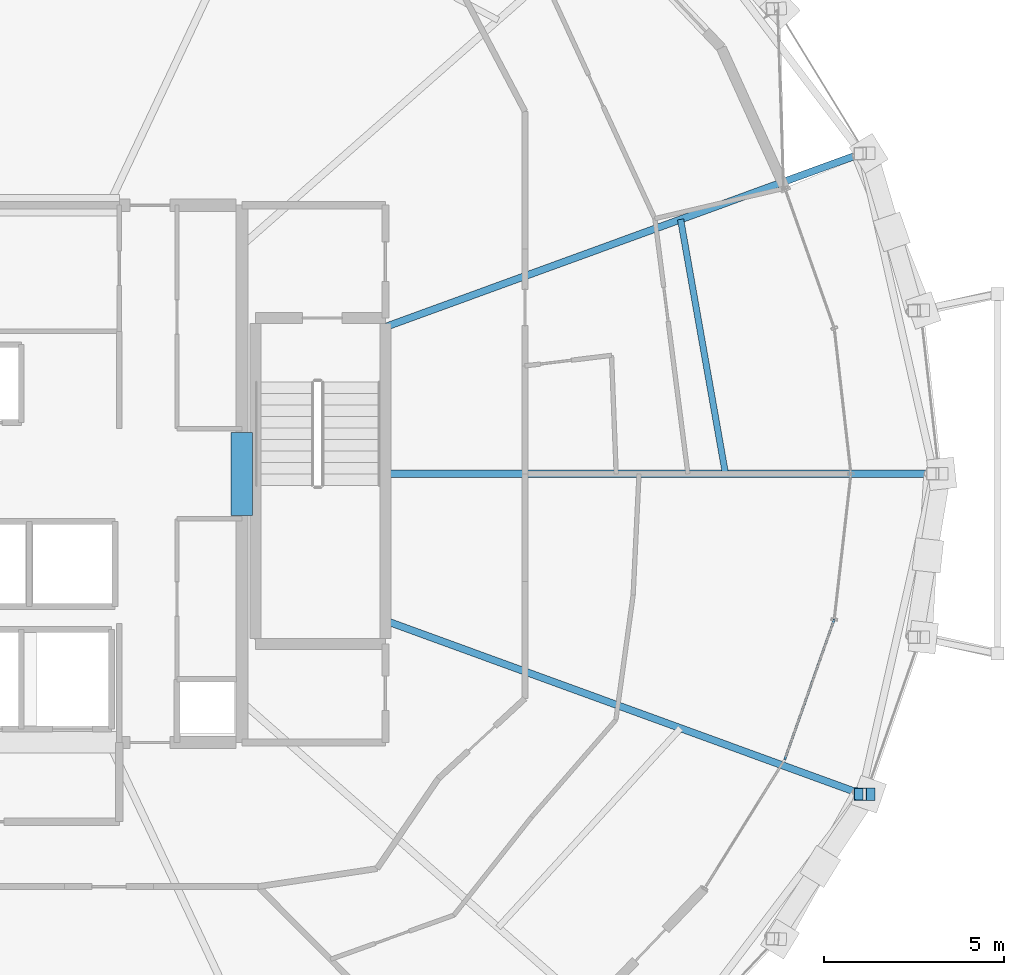
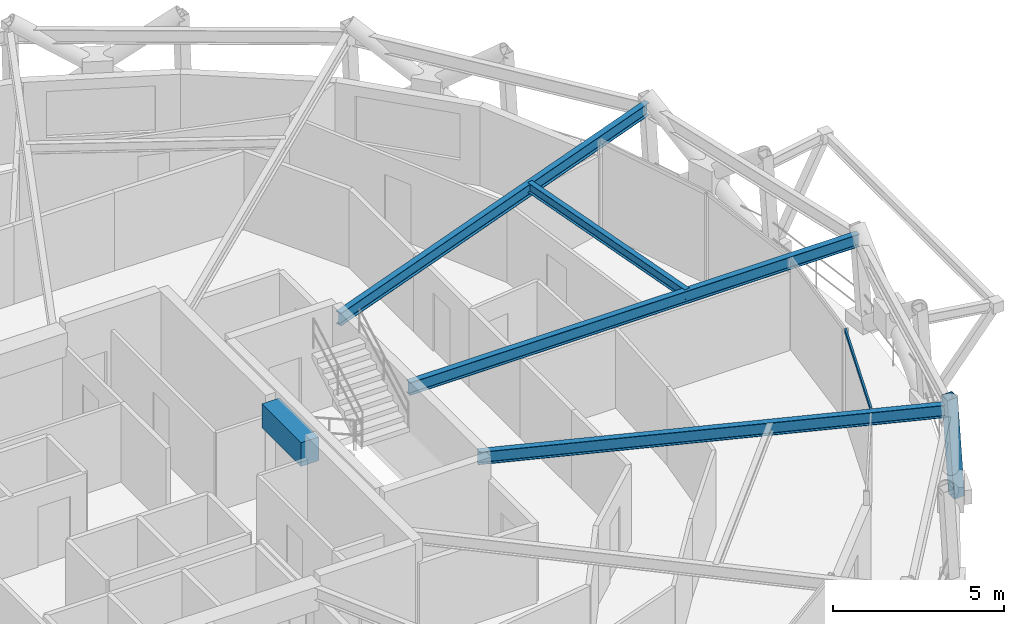
# One storey, part 7 of 17: 5 beams, 2 members, 1 element without a shape of its own.
"""IFC4 building model written with IfcOpenShell, lengths in metres."""

import ifcopenshell
import ifcopenshell.guid

model = None  # the IFC model being written
_history = None  # IfcOwnerHistory: only IFC2X3 demands one
_inside = {}  # id of a spatial element -> (the spatial element, [elements in it])
_under = {}  # id of a project, library or spatial element -> (it, [spatial elements below it])
_declared = {}  # id of a project -> (the project, [libraries it declares])
_typed = {}  # id of a type object -> (the type object, [elements of that type])
_made_of = {}  # id of a material, layer set ... -> (it, [elements and type objects made of it])


def new_model(schema):
    """Start an empty IFC model of exactly this schema.

    Asked for "IFC4X3", IfcOpenShell would pick the latest addendum, in which some entities
    have other attributes; the version numbers below select the first issue.
    IFC2X3 requires an IfcOwnerHistory on every rooted entity: one is made here for all.
    """
    global model, _history
    if schema == "IFC4X3":
        model = ifcopenshell.file(schema_version=(4, 3, 0, 0))
    else:
        model = ifcopenshell.file(schema=schema)
    _inside.clear()
    _under.clear()
    _declared.clear()
    _typed.clear()
    _made_of.clear()
    _history = None
    if model.schema == "IFC2X3":
        org = make("IfcOrganization", Name="unknown")
        user = make(
            "IfcPersonAndOrganization",
            ThePerson=make("IfcPerson", FamilyName="unknown"),
            TheOrganization=org,
        )
        app = make(
            "IfcApplication",
            ApplicationDeveloper=org,
            Version="unknown",
            ApplicationFullName="unknown",
            ApplicationIdentifier="unknown",
        )
        _history = make(
            "IfcOwnerHistory",
            OwningUser=user,
            OwningApplication=app,
            ChangeAction="ADDED",
            CreationDate=0,
        )
    return model


def make(cls, **values):
    """One entity of the class cls with the attributes given. An attribute that is None is left unset."""
    return model.create_entity(
        cls, **{name: value for name, value in values.items() if value is not None}
    )


def rooted(cls, **values):
    """An entity with a GlobalId (a new one), such as an element, a storey or a relation."""
    return make(cls, GlobalId=ifcopenshell.guid.new(), OwnerHistory=_history, **values)


def si_unit(unit_type, name, prefix=None):
    """IfcSIUnit, for example si_unit("LENGTHUNIT", "METRE", prefix="MILLI")."""
    return make("IfcSIUnit", UnitType=unit_type, Prefix=prefix, Name=name)


def assignment(units):
    """IfcUnitAssignment: the units of a project."""
    return None if units is None else make("IfcUnitAssignment", Units=units)


def point(xyz):
    """IfcCartesianPoint."""
    return None if xyz is None else make("IfcCartesianPoint", Coordinates=xyz)


def direction(xyz):
    """IfcDirection."""
    return None if xyz is None else make("IfcDirection", DirectionRatios=xyz)


def frame(location, z_axis=None, x_axis=None):
    """IfcAxis2Placement3D, a coordinate frame: its origin and axes. An axis left out is left unset."""
    return make(
        "IfcAxis2Placement3D",
        Location=point(location),
        Axis=direction(z_axis),
        RefDirection=direction(x_axis),
    )


def frame_2d(location, x_axis=None):
    """IfcAxis2Placement2D, a coordinate frame in the plane: its origin and x axis."""
    return make(
        "IfcAxis2Placement2D", Location=point(location), RefDirection=direction(x_axis)
    )


def origin():
    """The frame at (0, 0, 0) with its axes left unset."""
    return frame((0.0, 0.0, 0.0))


def origin_2d():
    """The frame at (0, 0) in the plane with its x axis left unset."""
    return frame_2d((0.0, 0.0))


def place(relative_to, where):
    """IfcLocalPlacement: puts the frame where relative to a parent placement (None: the world)."""
    return make(
        "IfcLocalPlacement", PlacementRelTo=relative_to, RelativePlacement=where
    )


def context(
    kind, dimensions, precision=None, world=None, true_north=None, identifier=None
):
    """IfcGeometricRepresentationContext, for example the 3D "Model" context."""
    return make(
        "IfcGeometricRepresentationContext",
        ContextIdentifier=identifier,
        ContextType=kind,
        CoordinateSpaceDimension=dimensions,
        Precision=precision,
        WorldCoordinateSystem=world,
        TrueNorth=true_north,
    )


def subcontext(parent, identifier, kind, view, scale=None):
    """IfcGeometricRepresentationSubContext, for example "Body" below "Model"."""
    return make(
        "IfcGeometricRepresentationSubContext",
        ContextIdentifier=identifier,
        ContextType=kind,
        ParentContext=parent,
        TargetScale=scale,
        TargetView=view,
    )


def project(units=None, contexts=None):
    """IfcProject with its units and contexts."""
    return rooted(
        "IfcProject",
        Name="project",
        RepresentationContexts=contexts,
        UnitsInContext=assignment(units),
    )


def spatial(cls, under=None, at=None, **own):
    """A site, building, storey or space (cls), placed at a placement, below another one or the project."""
    s = rooted(cls, ObjectPlacement=at, **own)
    if under is not None:
        _under.setdefault(under.id(), (under, []))[1].append(s)
    return s


def profile(cls, at=None, kind="AREA", **sizes):
    """A parametric profile (cls). Its sizes go by their IFC names, for example OverallWidth=200.0."""
    return make(cls, ProfileType=kind, Position=at, **sizes)


def rectangle(**sizes):
    """IfcRectangleProfileDef."""
    return profile("IfcRectangleProfileDef", **sizes)


def hollow_rectangle(**sizes):
    """IfcRectangleHollowProfileDef."""
    return profile("IfcRectangleHollowProfileDef", **sizes)


def i_section(**sizes):
    """IfcIShapeProfileDef."""
    return profile("IfcIShapeProfileDef", **sizes)


def extrude(swept, where, along, depth):
    """IfcExtrudedAreaSolid: the profile swept, set in the frame where, extruded along a direction by depth."""
    return make(
        "IfcExtrudedAreaSolid",
        SweptArea=swept,
        Position=where,
        ExtrudedDirection=direction(along),
        Depth=depth,
    )


def shape(context_of_items, identifier, shape_type, items):
    """IfcShapeRepresentation: the items that make up one representation, for example the "Body"."""
    return make(
        "IfcShapeRepresentation",
        ContextOfItems=context_of_items,
        RepresentationIdentifier=identifier,
        RepresentationType=shape_type,
        Items=items,
    )


def material(Name=None, Category=None):
    """IfcMaterial."""
    return make("IfcMaterial", Name=Name, Category=Category)


def layer(
    of_material, thickness, ventilated=None, Name=None, Category=None, Priority=None
):
    """IfcMaterialLayer: one layer of a wall or slab, of a material (None: an air gap)."""
    return make(
        "IfcMaterialLayer",
        Material=of_material,
        LayerThickness=thickness,
        IsVentilated=ventilated,
        Name=Name,
        Category=Category,
        Priority=Priority,
    )


def layer_set(layers, Name=None):
    """IfcMaterialLayerSet."""
    return make("IfcMaterialLayerSet", MaterialLayers=layers, LayerSetName=Name)


def material_profile(
    of_material, cross_section, Name=None, Category=None, Priority=None
):
    """IfcMaterialProfile: a cross section and its material."""
    return make(
        "IfcMaterialProfile",
        Name=Name,
        Material=of_material,
        Profile=cross_section,
        Priority=Priority,
        Category=Category,
    )


def profile_set(profiles, Name=None, composite=None):
    """IfcMaterialProfileSet."""
    return make(
        "IfcMaterialProfileSet",
        Name=Name,
        MaterialProfiles=profiles,
        CompositeProfile=composite,
    )


def made_of(thing, what):
    """Note that an element or type object is made of a material, layer set ...; save() writes the relation."""
    if what is not None:
        _made_of.setdefault(what.id(), (what, []))[1].append(thing)
    return thing


def type_object(cls, material=None, **own):
    """A type object (cls), such as IfcWallType, which elements share."""
    return made_of(rooted(cls, **own), material)


def element(
    cls,
    number,
    at=None,
    inside=None,
    cuts=None,
    type_object=None,
    material=None,
    context=None,
    identifier="Body",
    shape_type=None,
    held_by="IfcProductDefinitionShape",
    body=None,
    shapes=None,
    **own,
):
    """One element of the class cls, such as IfcWall. Its Tag is "e" and its number.

    at: its placement. inside: the storey or other place that contains it. cuts: it is an
    opening in that element (IfcRelVoidsElement). A single representation is given by context,
    identifier, shape_type and body (its items); several are given by shapes. held_by: the class
    of the entity that holds the representations. save() writes the other relations.
    """
    e = rooted(cls, Tag="e%d" % number, ObjectPlacement=at, **own)
    if body is not None:
        shapes = [shape(context, identifier, shape_type, body)]
    if shapes is not None:
        e.Representation = make(held_by, Representations=shapes)
    if inside is not None:
        _inside.setdefault(inside.id(), (inside, []))[1].append(e)
    if cuts is not None:
        rooted(
            "IfcRelVoidsElement", RelatingBuildingElement=cuts, RelatedOpeningElement=e
        )
    if type_object is not None:
        _typed.setdefault(type_object.id(), (type_object, []))[1].append(e)
    return made_of(e, material)


def aggregate(whole, parts):
    """IfcRelAggregates: a whole, such as a stair, and the parts it consists of."""
    return rooted("IfcRelAggregates", RelatingObject=whole, RelatedObjects=parts)


def save(model, path):
    """Write the relations noted so far, then the file.

    IfcRelAggregates (storeys below a building ...), IfcRelContainedInSpatialStructure (elements
    in a storey), IfcRelDefinesByType, IfcRelAssociatesMaterial and IfcRelDeclares: one each for
    every whole, place, type object, material and project.
    """
    for whole, parts in _under.values():
        aggregate(whole, parts)
    for where, things in _inside.values():
        rooted(
            "IfcRelContainedInSpatialStructure",
            RelatedElements=things,
            RelatingStructure=where,
        )
    for kind, things in _typed.values():
        rooted("IfcRelDefinesByType", RelatedObjects=things, RelatingType=kind)
    for what, things in _made_of.values():
        rooted("IfcRelAssociatesMaterial", RelatedObjects=things, RelatingMaterial=what)
    for by, libraries in _declared.values():
        rooted("IfcRelDeclares", RelatingContext=by, RelatedDefinitions=libraries)
    model.write(path)


model = new_model("IFC4")

# Units and contexts
model_context = context("Model", 3, precision=1e-05, world=origin(), true_north=direction((0.0, 1.0)))
body_context = subcontext(model_context, "Body", "Model", "MODEL_VIEW")
ifc_project = project(units=[si_unit("LENGTHUNIT", "METRE"), si_unit("AREAUNIT", "SQUARE_METRE"), si_unit("VOLUMEUNIT", "CUBIC_METRE"), si_unit("PLANEANGLEUNIT", "RADIAN"), si_unit("MASSUNIT", "GRAM", prefix="KILO")], contexts=[model_context])

# Site, building, storey
site_placement = place(None, origin())
site = spatial("IfcSite", under=ifc_project, at=site_placement, CompositionType="ELEMENT")
building_placement = place(site_placement, origin())
building = spatial("IfcBuilding", under=site, at=building_placement, Name="Veldorina Hangang Commons", CompositionType="ELEMENT")
storey_placement = place(building_placement, frame((0.0, 0.0, 196.39990234375)))
storey = spatial("IfcBuildingStorey", under=building, at=storey_placement, Name="L51", CompositionType="ELEMENT", Elevation=196.39990234375)

# Beams
ifc_material_1 = material(Name="Concrete C60/75", Category="concrete")
ifc_material_profile_1 = material_profile(ifc_material_1, rectangle(XDim=0.60009765625, YDim=0.85009765625, at=origin_2d()), Name="RC-CB-600x850")
ifc_profile_set_1 = profile_set([ifc_material_profile_1], Name="Concrete C60/75")
beam_type_1 = type_object("IfcBeamType", Name="BM-CB850", PredefinedType="LINTEL", material=ifc_profile_set_1)
beam_1_placement = place(storey_placement, frame((39.199951171875, 22.85009765625, 2.925048828125), z_axis=(0.0, 1.0, 0.0), x_axis=(-1.0, 0.0, 0.0)))
element("IfcBeam", 1, at=beam_1_placement, inside=storey, type_object=beam_type_1, Name="L51 E core coupling lintel beam", PredefinedType="LINTEL", context=body_context, shape_type="SweptSolid", body=[
    extrude(rectangle(XDim=0.60009765625, YDim=0.85009765625, at=origin_2d()), origin(), (0.0, 0.0, 1.0), 2.2998046875),
])
ifc_material_2 = material(Name="Steel SM355-TMC", Category="steel")
ifc_material_profile_2 = material_profile(ifc_material_2, i_section(OverallWidth=0.199951171875, OverallDepth=0.449951171875, WebThickness=0.009033203125, FlangeThickness=0.013916015625, FilletRadius=0.01611328125, at=origin_2d()), Name="H-450x200x9x14")
ifc_profile_set_2 = profile_set([ifc_material_profile_2], Name="Steel SM355-TMC")
beam_type_2 = type_object("IfcBeamType", Name="BM-FG450", PredefinedType="BEAM", material=ifc_profile_set_2)
beam_2_placement = place(storey_placement, frame((43.179931640625, 24.0, 3.125), z_axis=(1.0, 0.0, 0.0), x_axis=(0.0, 1.0, 0.0)))
element("IfcBeam", 2, at=beam_2_placement, inside=storey, type_object=beam_type_2, Name="L51 radial floor girder 01", PredefinedType="BEAM", context=body_context, shape_type="SweptSolid", body=[
    extrude(i_section(OverallWidth=0.199951171875, OverallDepth=0.449951171875, WebThickness=0.009033203125, FlangeThickness=0.013916015625, FilletRadius=0.01611328125, at=origin_2d()), origin(), (0.0, 0.0, 1.0), 15.215576171875),
])
for number, where, z_axis, x_axis, name in (
    (3, (43.179931640625, 28.0732421875, 3.125), (0.939582271588, 0.34232317321, 0.0), (-0.34232317321, 0.939582271588, 0.0), "L51 radial floor girder 02"),
    (4, (43.179931640625, 19.9267578125, 3.125), (0.939582271588, -0.34232317321, 0.0), (0.34232317321, 0.939582271588, 0.0), "L51 radial floor girder 16"),
):
    element("IfcBeam", number, at=place(storey_placement, frame(where, z_axis=z_axis, x_axis=x_axis)), inside=storey, type_object=beam_type_2, Name=name, PredefinedType="BEAM", context=body_context, shape_type="SweptSolid", body=[
        extrude(i_section(OverallWidth=0.199951171875, OverallDepth=0.449951171875, WebThickness=0.009033203125, FlangeThickness=0.013916015625, FilletRadius=0.01611328125, at=origin_2d()), origin(), (0.0, 0.0, 1.0), 14.055419921875),
    ])
ifc_material_profile_3 = material_profile(ifc_material_2, i_section(OverallWidth=0.175048828125, OverallDepth=0.35009765625, WebThickness=0.007080078125, FlangeThickness=0.010986328125, FilletRadius=0.012939453125, at=origin_2d()), Name="H-350x175x7x11")
ifc_profile_set_3 = profile_set([ifc_material_profile_3], Name="Steel SM355-TMC")
beam_type_3 = type_object("IfcBeamType", Name="BM-JST350", PredefinedType="JOIST", material=ifc_profile_set_3)
beam_3_placement = place(storey_placement, frame((52.613525390625, 24.0, 3.175048828125), z_axis=(-0.173833925919, 0.984774982521, 0.0), x_axis=(-0.984774982521, -0.173833925919, 0.0)))
element("IfcBeam", 5, at=beam_3_placement, inside=storey, type_object=beam_type_3, Name="L51 secondary floor joist 01", PredefinedType="JOIST", context=body_context, shape_type="SweptSolid", body=[
    extrude(i_section(OverallWidth=0.175048828125, OverallDepth=0.35009765625, WebThickness=0.007080078125, FlangeThickness=0.010986328125, FilletRadius=0.012939453125, at=origin_2d()), origin(), (0.0, 0.0, 1.0), 7.16552734375),
])

# Curtain wall, member
ifc_material_3 = material(Name="Glass Low-E Triple IGU", Category="glass")
ifc_layer = layer(ifc_material_3, 0.179931640625)
ifc_layer_set = layer_set([ifc_layer], Name="Glass Low-E Triple IGU")
curtain_wall_type = type_object("IfcCurtainWallType", Name="CW-SYS-Z2", PredefinedType="NOTDEFINED", material=ifc_layer_set)
curtain_wall_placement = place(storey_placement, origin())
curtain_wall = element("IfcCurtainWall", 6, at=curtain_wall_placement, inside=storey, type_object=curtain_wall_type, Name="L51 unitised curtain wall CW-L51-R2", PredefinedType="NOTDEFINED")
ifc_material_4 = material(Name="Aluminium Anodized AA6063-T6", Category="aluminium")
ifc_material_profile_4 = material_profile(ifc_material_4, hollow_rectangle(XDim=0.06005859375, YDim=0.139892578125, WallThickness=0.00341796875, at=origin_2d()), Name="ALU-RHS-140x60x3.5")
ifc_profile_set_4 = profile_set([ifc_material_profile_4], Name="Aluminium Anodized AA6063-T6")
member_type_1 = type_object("IfcMemberType", Name="CW-TRN-140", PredefinedType="USERDEFINED", material=ifc_profile_set_4)
member_1_placement = place(storey_placement, frame((54.258056640625, 16.07568359375, 3.27001953125), z_axis=(0.332786016012, 0.943002368792, 0.0), x_axis=(-0.943002368792, 0.332786016012, 0.0)))
member_1 = element("IfcMember", 7, at=member_1_placement, type_object=member_type_1, Name="CW-L51-R2 facet 2 transom 1", ObjectType="TRANSOM", PredefinedType="USERDEFINED", context=body_context, shape_type="SweptSolid", body=[
    extrude(hollow_rectangle(XDim=0.06005859375, YDim=0.139892578125, WallThickness=0.00341796875, at=origin_2d()), origin(), (0.0, 0.0, 1.0), 4.119384765625),
])
aggregate(curtain_wall, [member_1])

# Member
ifc_material_profile_5 = material_profile(ifc_material_2, hollow_rectangle(XDim=0.35009765625, YDim=0.35009765625, WallThickness=0.01611328125, at=origin_2d()), Name="SHS-350x350x16")
ifc_profile_set_5 = profile_set([ifc_material_profile_5], Name="Steel SM355-TMC")
member_type_2 = type_object("IfcMemberType", Name="STR-SHS350", PredefinedType="STRUT", material=ifc_profile_set_5)
member_2_placement = place(storey_placement, frame((56.586181640625, 15.111328125, 0.0), z_axis=(-0.064358310815, 0.001285812729, 0.997926026574), x_axis=(-0.019974983304, -0.999800480117, 0.0)))
element("IfcMember", 8, at=member_2_placement, inside=storey, type_object=member_type_2, Name="L51 perimeter ring node post 30", PredefinedType="STRUT", context=body_context, shape_type="SweptSolid", body=[
    extrude(hollow_rectangle(XDim=0.35009765625, YDim=0.35009765625, WallThickness=0.01611328125, at=origin_2d()), origin(), (0.0, 0.0, 1.0), 3.607666015625),
])

save(model, "model.ifc")
